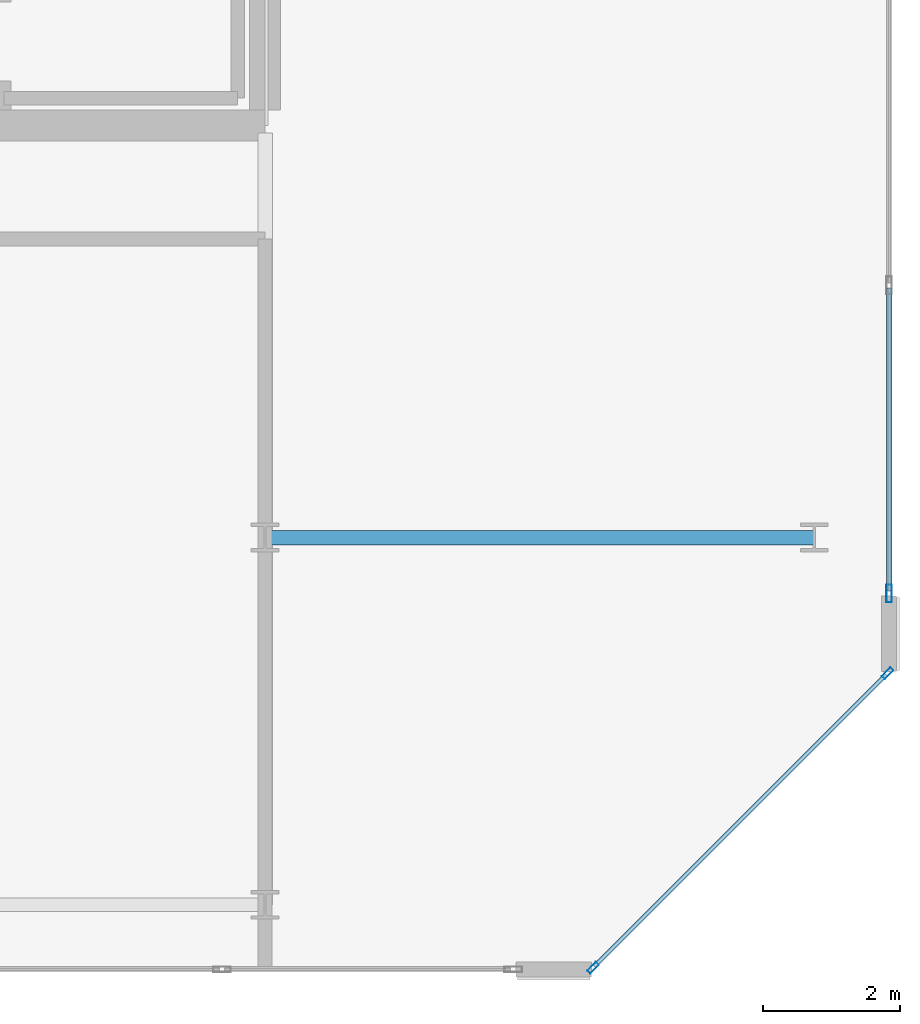
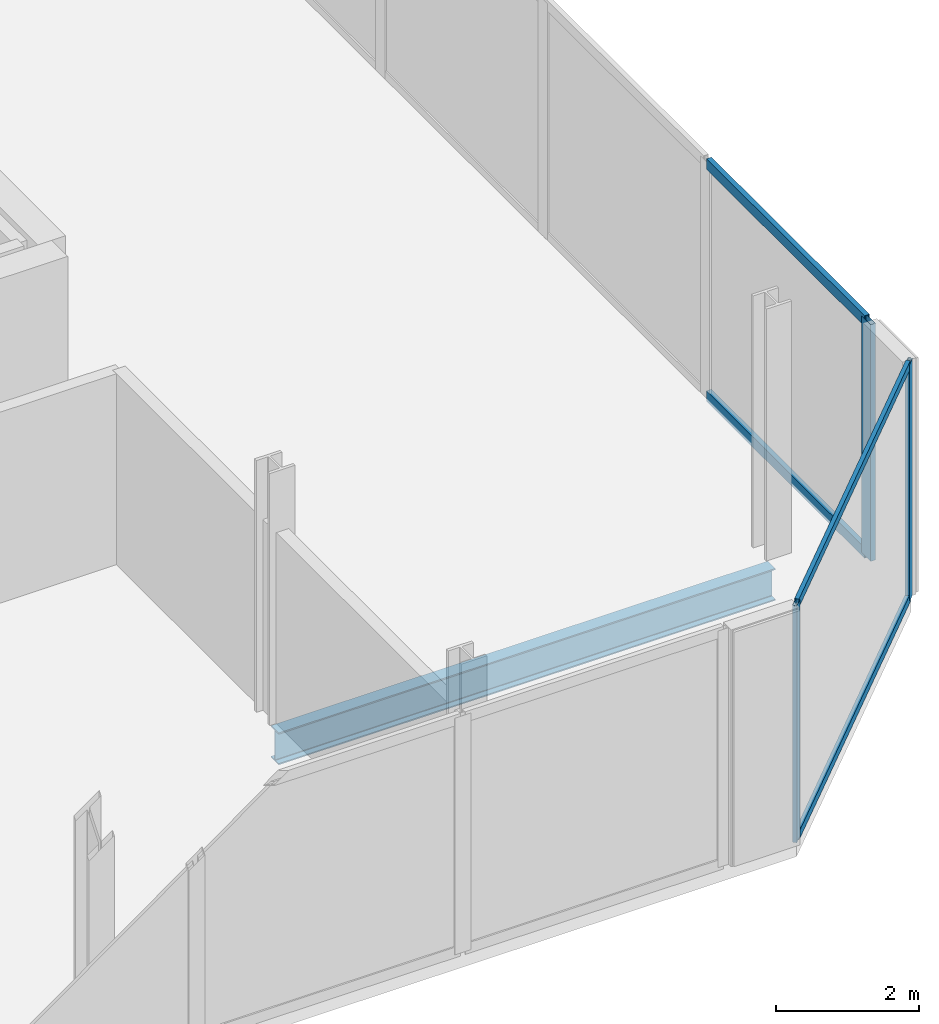
# One storey, part 7 of 16: 7 members, 1 beam, 2 elements without a shape of their own.
"""IFC4 building model written with IfcOpenShell, lengths in metres."""

from ifc_helpers import new_model, si_unit, direction, frame, origin, origin_2d, place, context, subcontext, project, spatial, hollow_rectangle, i_section, extrude, material, layer, layer_set, material_profile, profile_set, type_object, element, aggregate, save


model = new_model("IFC4")

# Units and contexts
model_context = context("Model", 3, precision=1e-05, world=origin(), true_north=direction((0.0, 1.0)))
body_context = subcontext(model_context, "Body", "Model", "MODEL_VIEW")
ifc_project = project(units=[si_unit("LENGTHUNIT", "METRE"), si_unit("AREAUNIT", "SQUARE_METRE"), si_unit("VOLUMEUNIT", "CUBIC_METRE"), si_unit("PLANEANGLEUNIT", "RADIAN"), si_unit("MASSUNIT", "GRAM", prefix="KILO")], contexts=[model_context])

# Site, building, storey
site_placement = place(None, origin())
site = spatial("IfcSite", under=ifc_project, at=site_placement, CompositionType="ELEMENT")
building_placement = place(site_placement, origin())
building = spatial("IfcBuilding", under=site, at=building_placement, Name="Tanjung Sevakor Pilgrim Tower", CompositionType="ELEMENT")
storey_placement = place(building_placement, frame((0.0, 0.0, 278.85009765625)))
storey = spatial("IfcBuildingStorey", under=building, at=storey_placement, Name="L78", CompositionType="ELEMENT", Elevation=278.85009765625)

# Beam
ifc_material_1 = material(Name="Steel S355J2", Category="steel")
ifc_material_profile_1 = material_profile(ifc_material_1, i_section(OverallWidth=0.2119140625, OverallDepth=0.54443359375, WebThickness=0.0126953125, FlangeThickness=0.021240234375, FilletRadius=0.0126953125, at=origin_2d()))
ifc_profile_set_1 = profile_set([ifc_material_profile_1], Name="Steel S355J2")
beam_type = type_object("IfcBeamType", Name="BM-B-G5-UB_533x210x122", PredefinedType="BEAM", material=ifc_profile_set_1)
beam_placement = place(storey_placement, frame((90.0, 18.60009765625, -0.532470703125), z_axis=(1.0, 0.0, 0.0), x_axis=(0.0, 1.0, 0.0)))
element("IfcBeam", 1, at=beam_placement, inside=storey, type_object=beam_type, Name="L78 East Peak Wing Girder Y18.6", PredefinedType="BEAM", context=body_context, shape_type="SweptSolid", body=[
    extrude(i_section(OverallWidth=0.2119140625, OverallDepth=0.54443359375, WebThickness=0.0126953125, FlangeThickness=0.021240234375, FilletRadius=0.0126953125, at=origin_2d()), origin(), (0.0, 0.0, 1.0), 8.0),
])

# Curtain wall, members
ifc_material_2 = material(Name="Aluminium 6063-T6 and Low-E Glass", Category="aluminium")
ifc_layer_1 = layer(ifc_material_2, 0.179931640625)
ifc_layer_set_1 = layer_set([ifc_layer_1], Name="CW-SYS-CHAM")
curtain_wall_type_1 = type_object("IfcCurtainWallType", Name="CW-SYS-CHAM", PredefinedType="NOTDEFINED", material=ifc_layer_set_1)
curtain_wall_1_placement = place(storey_placement, origin())
curtain_wall_1 = element("IfcCurtainWall", 2, at=curtain_wall_1_placement, inside=storey, type_object=curtain_wall_type_1, Name="L78 Curtain Wall CW-CHM-L78-EAST-1", PredefinedType="NOTDEFINED")
ifc_material_3 = material(Name="Aluminium 6063-T6", Category="aluminium")
ifc_material_profile_2 = material_profile(ifc_material_3, hollow_rectangle(XDim=0.06494140625, YDim=0.179931640625, WallThickness=0.00390625, at=origin_2d()))
ifc_profile_set_2 = profile_set([ifc_material_profile_2], Name="Aluminium 6063-T6")
member_type_1 = type_object("IfcMemberType", Name="TYPE-CWM-1", PredefinedType="MULLION", material=ifc_profile_set_2)
member_1_placement = place(storey_placement, frame((94.77734375, 12.3330078125, 0.0), z_axis=(0.0, 0.0, 1.0), x_axis=(-0.707106781187, 0.707106781187, 0.0)))
member_1 = element("IfcMember", 3, at=member_1_placement, type_object=member_type_1, Name="CW-CHM mullion 1", PredefinedType="MULLION", context=body_context, shape_type="SweptSolid", body=[
    extrude(hollow_rectangle(XDim=0.06494140625, YDim=0.179931640625, WallThickness=0.00390625, at=origin_2d()), origin(), (0.0, 0.0, 1.0), 4.02978515625),
])
member_2_placement = place(storey_placement, frame((99.067138671875, 16.62255859375, 0.0), z_axis=(0.0, 0.0, 1.0), x_axis=(-0.707106781187, 0.707106781187, 0.0)))
member_2 = element("IfcMember", 4, at=member_2_placement, type_object=member_type_1, Name="CW-CHM mullion 2", PredefinedType="MULLION", context=body_context, shape_type="SweptSolid", body=[
    extrude(hollow_rectangle(XDim=0.06494140625, YDim=0.179931640625, WallThickness=0.00390625, at=origin_2d()), origin(), (0.0, 0.0, 1.0), 4.02978515625),
])

# Curtain wall, member
ifc_material_4 = material(Name="Aluminium 6063-T6 and Low-E Glass", Category="aluminium")
ifc_layer_2 = layer(ifc_material_4, 0.219970703125)
ifc_layer_set_2 = layer_set([ifc_layer_2], Name="CW-SYS-CRNE")
curtain_wall_type_2 = type_object("IfcCurtainWallType", Name="CW-SYS-CRNE", PredefinedType="NOTDEFINED", material=ifc_layer_set_2)
curtain_wall_2_placement = place(storey_placement, origin())
curtain_wall_2 = element("IfcCurtainWall", 5, at=curtain_wall_2_placement, inside=storey, type_object=curtain_wall_type_2, Name="L78 Curtain Wall CW-CRN-L78-EAST-2-1", PredefinedType="NOTDEFINED")
ifc_material_5 = material(Name="Aluminium 6063-T6", Category="aluminium")
ifc_material_profile_3 = material_profile(ifc_material_5, hollow_rectangle(XDim=0.080078125, YDim=0.260009765625, WallThickness=0.0048828125, at=origin_2d()))
ifc_profile_set_3 = profile_set([ifc_material_profile_3], Name="Aluminium 6063-T6")
member_type_2 = type_object("IfcMemberType", Name="TYPE-CWM-3", PredefinedType="MULLION", material=ifc_profile_set_3)
member_3_placement = place(storey_placement, frame((99.090087890625, 17.78564453125, 0.0), z_axis=(0.0, 0.0, 1.0), x_axis=(-1.0, 0.0, 0.0)))
member_3 = element("IfcMember", 6, at=member_3_placement, type_object=member_type_2, Name="CW-CRE mullion 1", PredefinedType="MULLION", context=body_context, shape_type="SweptSolid", body=[
    extrude(hollow_rectangle(XDim=0.080078125, YDim=0.260009765625, WallThickness=0.0048828125, at=origin_2d()), origin(), (0.0, 0.0, 1.0), 4.02978515625),
])

# Member
ifc_material_6 = material(Name="Aluminium 6063-T6", Category="aluminium")
ifc_material_profile_4 = material_profile(ifc_material_6, hollow_rectangle(XDim=0.06494140625, YDim=0.139892578125, WallThickness=0.00390625, at=origin_2d()))
ifc_profile_set_4 = profile_set([ifc_material_profile_4], Name="Aluminium 6063-T6")
member_type_3 = type_object("IfcMemberType", Name="TYPE-CWT-1", PredefinedType="USERDEFINED", material=ifc_profile_set_4)
member_4_placement = place(storey_placement, frame((94.80029296875, 12.35595703125, 0.032470703125), z_axis=(0.707106781187, 0.707106781187, 0.0), x_axis=(-0.707106781187, 0.707106781187, 0.0)))
member_4 = element("IfcMember", 7, at=member_4_placement, type_object=member_type_3, Name="CW-CHM transom 1.1", ObjectType="TRANSOM", PredefinedType="USERDEFINED", context=body_context, shape_type="SweptSolid", body=[
    extrude(hollow_rectangle(XDim=0.06494140625, YDim=0.139892578125, WallThickness=0.00390625, at=origin_2d()), origin(), (0.0, 0.0, 1.0), 6.00146484375),
])

member_5_placement = place(storey_placement, frame((94.80029296875, 12.35595703125, 3.997314453125), z_axis=(0.707106781187, 0.707106781187, 0.0), x_axis=(-0.707106781187, 0.707106781187, 0.0)))
member_5 = element("IfcMember", 8, at=member_5_placement, type_object=member_type_3, Name="CW-CHM transom 1.2", ObjectType="TRANSOM", PredefinedType="USERDEFINED", context=body_context, shape_type="SweptSolid", body=[
    extrude(hollow_rectangle(XDim=0.06494140625, YDim=0.139892578125, WallThickness=0.00390625, at=origin_2d()), origin(), (0.0, 0.0, 1.0), 6.00146484375),
])

aggregate(curtain_wall_1, [member_1, member_2, member_4, member_5])

ifc_material_7 = material(Name="Aluminium 6063-T6", Category="aluminium")
ifc_material_profile_5 = material_profile(ifc_material_7, hollow_rectangle(XDim=0.080078125, YDim=0.179931640625, WallThickness=0.0048828125, at=origin_2d()))
ifc_profile_set_5 = profile_set([ifc_material_profile_5], Name="Aluminium 6063-T6")
member_type_4 = type_object("IfcMemberType", Name="TYPE-CWT-3", PredefinedType="USERDEFINED", material=ifc_profile_set_5)
member_6_placement = place(storey_placement, frame((99.090087890625, 17.82568359375, 0.039794921875), z_axis=(0.0, 1.0, 0.0), x_axis=(-1.0, 0.0, 0.0)))
member_6 = element("IfcMember", 9, at=member_6_placement, type_object=member_type_4, Name="CW-CRE transom 1.1", ObjectType="TRANSOM", PredefinedType="USERDEFINED", context=body_context, shape_type="SweptSolid", body=[
    extrude(hollow_rectangle(XDim=0.080078125, YDim=0.179931640625, WallThickness=0.0048828125, at=origin_2d()), origin(), (0.0, 0.0, 1.0), 4.40966796875),
])

member_7_placement = place(storey_placement, frame((99.090087890625, 17.82568359375, 3.989990234375), z_axis=(0.0, 1.0, 0.0), x_axis=(-1.0, 0.0, 0.0)))
member_7 = element("IfcMember", 10, at=member_7_placement, type_object=member_type_4, Name="CW-CRE transom 1.2", ObjectType="TRANSOM", PredefinedType="USERDEFINED", context=body_context, shape_type="SweptSolid", body=[
    extrude(hollow_rectangle(XDim=0.080078125, YDim=0.179931640625, WallThickness=0.0048828125, at=origin_2d()), origin(), (0.0, 0.0, 1.0), 4.40966796875),
])

aggregate(curtain_wall_2, [member_3, member_6, member_7])

save(model, "model.ifc")
